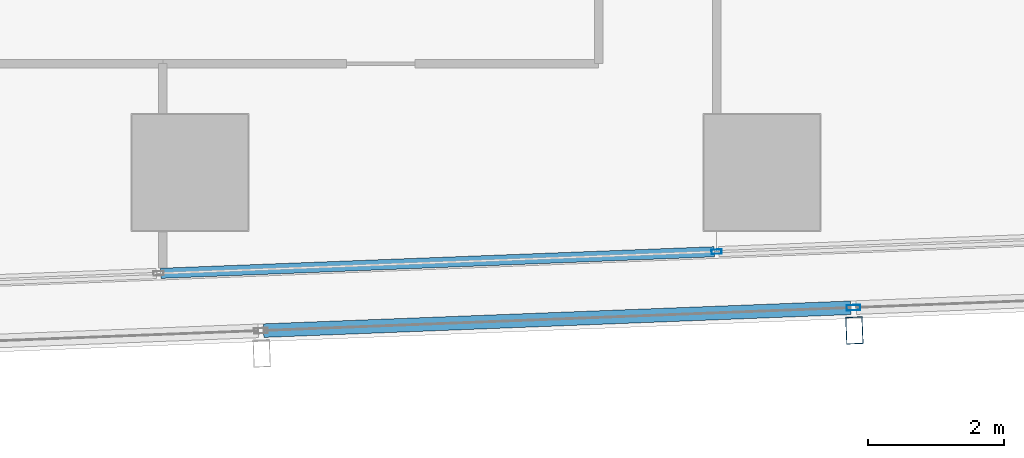
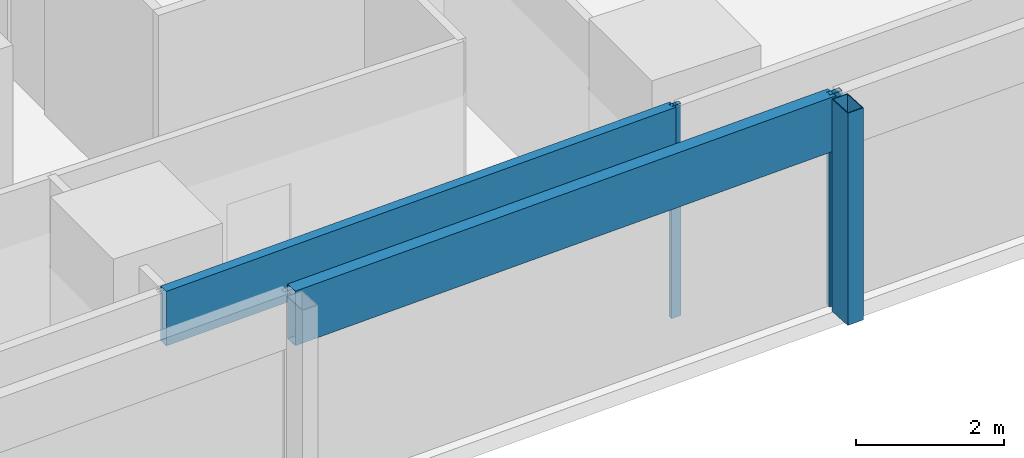
# One storey, part 11 of 40: 5 members, 2 elements without a shape of their own.
"""IFC4 building model written with IfcOpenShell, lengths in metres."""

from ifc_helpers import new_model, si_unit, direction, frame, origin, origin_2d, place, context, subcontext, project, spatial, hollow_rectangle, extrude, material, material_profile, profile_set, type_object, element, aggregate, save


model = new_model("IFC4")

# Units and contexts
model_context = context("Model", 3, precision=1e-05, world=origin(), true_north=direction((0.0, 1.0)))
body_context = subcontext(model_context, "Body", "Model", "MODEL_VIEW")
ifc_project = project(units=[si_unit("LENGTHUNIT", "METRE"), si_unit("AREAUNIT", "SQUARE_METRE"), si_unit("VOLUMEUNIT", "CUBIC_METRE"), si_unit("PLANEANGLEUNIT", "RADIAN"), si_unit("MASSUNIT", "GRAM", prefix="KILO")], contexts=[model_context])

# Site, building, storey
site_placement = place(None, origin())
site = spatial("IfcSite", under=ifc_project, at=site_placement, CompositionType="ELEMENT")
building_placement = place(site_placement, origin())
building = spatial("IfcBuilding", under=site, at=building_placement, Name="Rekha Terrace Tower", CompositionType="ELEMENT")
storey_placement = place(building_placement, frame((0.0, 0.0, 99.050048828125)))
storey = spatial("IfcBuildingStorey", under=building, at=storey_placement, Name="L24", CompositionType="ELEMENT", Elevation=99.050048828125)

# Curtain wall, member
ifc_material_1 = material(Name="Aluminium framing", Category="aluminium")
curtain_wall_type_1 = type_object("IfcCurtainWallType", Name="CW2 double skin outer glazing", PredefinedType="USERDEFINED", material=ifc_material_1)
curtain_wall_1_placement = place(storey_placement, origin())
curtain_wall_1 = element("IfcCurtainWall", 1, at=curtain_wall_1_placement, inside=storey, type_object=curtain_wall_type_1, Name="CW2 double skin outer glazing", ObjectType="DOUBLE SKIN OUTER GLAZING", PredefinedType="USERDEFINED")
ifc_material_2 = material(Name="Steel S355 with fluorocarbon finish", Category="steel")
ifc_material_profile_1 = material_profile(ifc_material_2, hollow_rectangle(XDim=0.25, YDim=0.39990234375, WallThickness=0.012451171875, at=origin_2d()), Name="RHS400x250x12.5")
ifc_profile_set_1 = profile_set([ifc_material_profile_1], Name="Steel S355 with fluorocarbon finish")
member_type_1 = type_object("IfcMemberType", Name="BL1 facade blade RHS 400 x 250", PredefinedType="USERDEFINED", material=ifc_profile_set_1)
member_1_placement = place(storey_placement, frame((60.1572265625, 14.480712890625, 0.0), z_axis=(0.0, 0.0, 1.0), x_axis=(0.999243494356, 0.038890088543, 0.0)))
member_1 = element("IfcMember", 2, at=member_1_placement, type_object=member_type_1, Name="Facade blade", ObjectType="FACADE BLADE", PredefinedType="USERDEFINED", context=body_context, shape_type="SweptSolid", body=[
    extrude(hollow_rectangle(XDim=0.25, YDim=0.39990234375, WallThickness=0.012451171875, at=origin_2d()), origin(), (0.0, 0.0, 1.0), 3.5),
])

# Curtain wall, members
curtain_wall_type_2 = type_object("IfcCurtainWallType", Name="CW1 double skin inner glazing", PredefinedType="USERDEFINED", material=ifc_material_1)
curtain_wall_2_placement = place(storey_placement, origin())
curtain_wall_2 = element("IfcCurtainWall", 3, at=curtain_wall_2_placement, inside=storey, type_object=curtain_wall_type_2, Name="CW1 double skin inner glazing", ObjectType="DOUBLE SKIN INNER GLAZING", PredefinedType="USERDEFINED")
ifc_material_3 = material(Name="Aluminium mullion section", Category="aluminium")
ifc_material_profile_2 = material_profile(ifc_material_3, hollow_rectangle(XDim=0.06494140625, YDim=0.14990234375, WallThickness=0.00390625, at=origin_2d()), Name="AL RHS 65x150")
ifc_profile_set_2 = profile_set([ifc_material_profile_2], Name="Aluminium mullion section")
member_type_2 = type_object("IfcMemberType", Name="CW1 mullion RHS 65 x 150", PredefinedType="MULLION", material=ifc_profile_set_2)
member_2_placement = place(storey_placement, frame((58.13330078125, 15.637939453125, 0.0), z_axis=(0.0, 0.0, 1.0), x_axis=(-0.038889971345, 0.999243498917, 0.0)))
member_2 = element("IfcMember", 4, at=member_2_placement, type_object=member_type_2, Name="CW1 mullion 5", PredefinedType="MULLION", context=body_context, shape_type="SweptSolid", body=[
    extrude(hollow_rectangle(XDim=0.06494140625, YDim=0.14990234375, WallThickness=0.00390625, at=origin_2d()), origin(), (0.0, 0.0, 1.0), 3.5),
])
ifc_material_4 = material(Name="Insulated aluminium spandrel box", Category="aluminium")
ifc_material_profile_3 = material_profile(ifc_material_4, hollow_rectangle(XDim=0.14990234375, YDim=0.89990234375, WallThickness=0.0029296875, at=origin_2d()), Name="AL SPANDREL BOX 150x900")
ifc_profile_set_3 = profile_set([ifc_material_profile_3], Name="Insulated aluminium spandrel box")
member_type_3 = type_object("IfcMemberType", Name="CW1 spandrel transom 150 x 900", PredefinedType="USERDEFINED", material=ifc_profile_set_3)
member_3_placement = place(storey_placement, frame((49.96923828125, 15.320068359375, 3.050048828125), z_axis=(0.999242669674, 0.038911272182, 0.0), x_axis=(-0.038911272182, 0.999242669674, 0.0)))
member_3 = element("IfcMember", 5, at=member_3_placement, type_object=member_type_3, Name="CW1 spandrel transom 4", ObjectType="TRANSOM", PredefinedType="USERDEFINED", context=body_context, shape_type="SweptSolid", body=[
    extrude(hollow_rectangle(XDim=0.14990234375, YDim=0.89990234375, WallThickness=0.0029296875, at=origin_2d()), origin(), (0.0, 0.0, 1.0), 8.1376953125),
])
aggregate(curtain_wall_2, [member_2, member_3])

# Member
ifc_material_profile_4 = material_profile(ifc_material_3, hollow_rectangle(XDim=0.080078125, YDim=0.199951171875, WallThickness=0.00390625, at=origin_2d()), Name="AL RHS 80x200")
ifc_profile_set_4 = profile_set([ifc_material_profile_4], Name="Aluminium mullion section")
member_type_4 = type_object("IfcMemberType", Name="CW2 mullion RHS 80 x 200", PredefinedType="MULLION", material=ifc_profile_set_4)
member_4_placement = place(storey_placement, frame((60.14404296875, 14.8154296875, 0.0), z_axis=(0.0, 0.0, 1.0), x_axis=(-0.038889971345, 0.999243498917, 0.0)))
member_4 = element("IfcMember", 6, at=member_4_placement, type_object=member_type_4, Name="CW2 mullion 5", PredefinedType="MULLION", context=body_context, shape_type="SweptSolid", body=[
    extrude(hollow_rectangle(XDim=0.080078125, YDim=0.199951171875, WallThickness=0.00390625, at=origin_2d()), origin(), (0.0, 0.0, 1.0), 3.5),
])

ifc_material_profile_5 = material_profile(ifc_material_4, hollow_rectangle(XDim=0.199951171875, YDim=0.89990234375, WallThickness=0.0029296875, at=origin_2d()), Name="AL SPANDREL BOX 200x900")
ifc_profile_set_5 = profile_set([ifc_material_profile_5], Name="Insulated aluminium spandrel box")
member_type_5 = type_object("IfcMemberType", Name="CW2 spandrel transom 200 x 900", PredefinedType="USERDEFINED", material=ifc_profile_set_5)
member_5_placement = place(storey_placement, frame((51.47900390625, 14.478271484375, 3.050048828125), z_axis=(0.999243481303, 0.038890423923, 0.0), x_axis=(-0.038890423923, 0.999243481303, 0.0)))
member_5 = element("IfcMember", 7, at=member_5_placement, type_object=member_type_5, Name="CW2 spandrel transom 4", ObjectType="TRANSOM", PredefinedType="USERDEFINED", context=body_context, shape_type="SweptSolid", body=[
    extrude(hollow_rectangle(XDim=0.199951171875, YDim=0.89990234375, WallThickness=0.0029296875, at=origin_2d()), origin(), (0.0, 0.0, 1.0), 8.6318359375),
])

aggregate(curtain_wall_1, [member_4, member_5, member_1])

save(model, "model.ifc")
